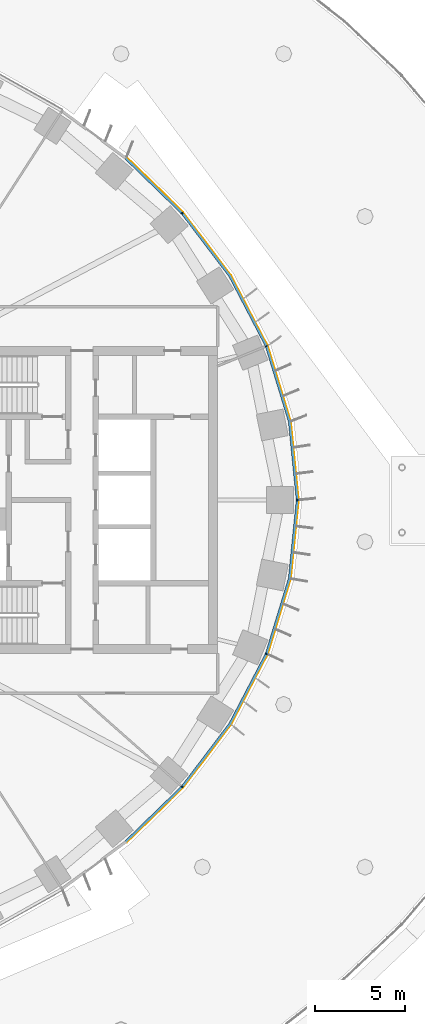
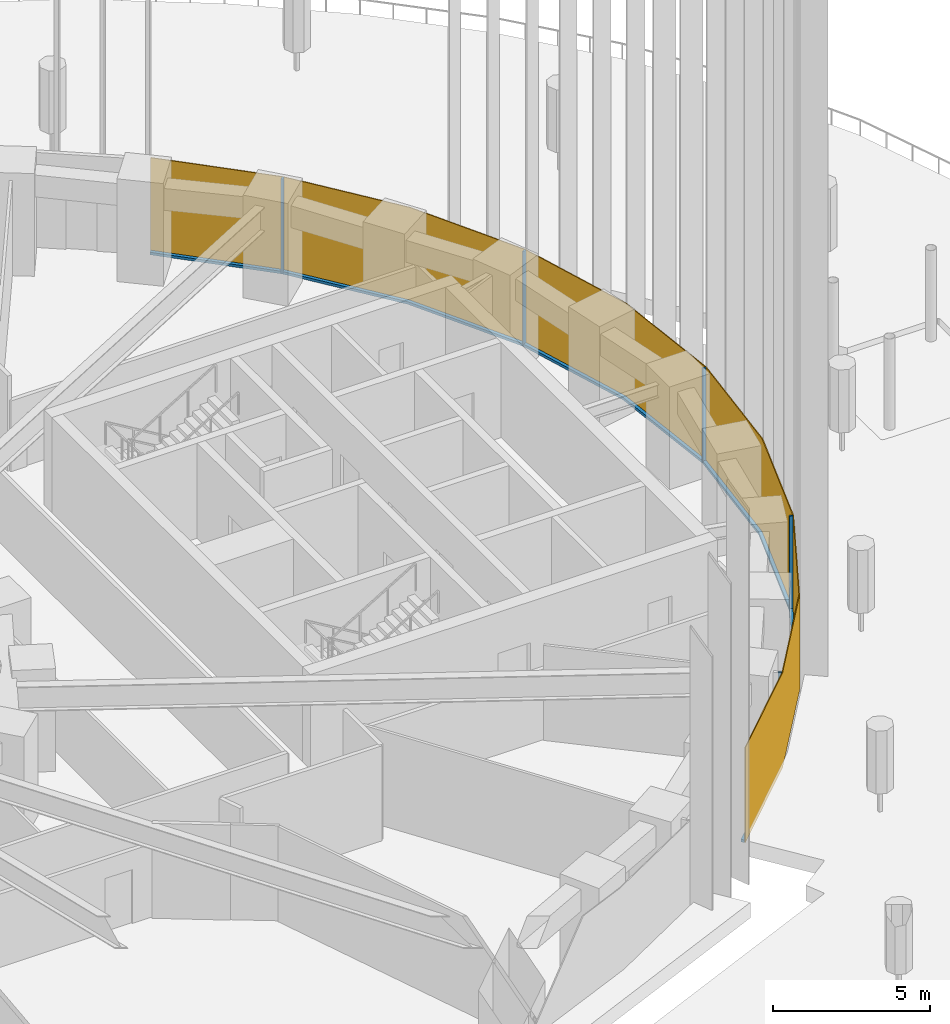
# One storey, part 21 of 30: 11 members, 1 curtain wall.
"""IFC4 building model written with IfcOpenShell, lengths in metres."""

from ifc_helpers import new_model, si_unit, direction, frame, origin, origin_2d, place, context, subcontext, project, spatial, polyline, rectangle, outline, extrude, material, layer, layer_set, material_profile, profile_set, type_object, element, aggregate, save


model = new_model("IFC4")

# Units and contexts
model_context = context("Model", 3, precision=1e-05, world=origin(), true_north=direction((0.0, 1.0)))
body_context = subcontext(model_context, "Body", "Model", "MODEL_VIEW")
ifc_project = project(units=[si_unit("LENGTHUNIT", "METRE"), si_unit("AREAUNIT", "SQUARE_METRE"), si_unit("VOLUMEUNIT", "CUBIC_METRE"), si_unit("PLANEANGLEUNIT", "RADIAN"), si_unit("MASSUNIT", "GRAM", prefix="KILO")], contexts=[model_context])

# Member
ifc_material_1 = material(Name="Aluminium 6063-T6 black anodised", Category="aluminium")
ifc_material_profile = material_profile(ifc_material_1, rectangle(XDim=0.1201171875, YDim=0.06005859375, at=origin_2d()), Name="120x60")
ifc_profile_set = profile_set([ifc_material_profile], Name="Aluminium 6063-T6 black anodised")
member_type_1 = type_object("IfcMemberType", Name="ENV-MULLION-A-120", PredefinedType="MULLION", material=ifc_profile_set)
site_placement = place(None, origin())
building_placement = place(site_placement, origin())
storey_placement = place(building_placement, frame((0.0, 0.0, 30.5)))
member_1_placement = place(storey_placement, frame((29.53857421875, -15.8671875, 0.0), z_axis=(0.0, 0.0, 1.0), x_axis=(-0.749047221705, 0.662516610853, 0.0)))
member_1 = element("IfcMember", 1, at=member_1_placement, type_object=member_type_1, Name="Mullion A radial 43", PredefinedType="MULLION", context=body_context, shape_type="SweptSolid", body=[
    extrude(rectangle(XDim=0.1201171875, YDim=0.06005859375, at=origin_2d()), origin(), (0.0, 0.0, 1.0), 3.699951171875),
])

member_2_placement = place(storey_placement, frame((34.19580078125, -8.513916015625, 0.0), z_axis=(0.0, 0.0, 1.0), x_axis=(-0.92546738067, 0.378827305398, 0.0)))
member_2 = element("IfcMember", 2, at=member_2_placement, type_object=member_type_1, Name="Mullion A radial 45", PredefinedType="MULLION", context=body_context, shape_type="SweptSolid", body=[
    extrude(rectangle(XDim=0.1201171875, YDim=0.06005859375, at=origin_2d()), origin(), (0.0, 0.0, 1.0), 3.699951171875),
])

member_3_placement = place(storey_placement, frame((35.907958984375, 0.0, 0.0), z_axis=(0.0, 0.0, 1.0), x_axis=(-1.0, 0.0, 0.0)))
member_3 = element("IfcMember", 3, at=member_3_placement, type_object=member_type_1, Name="Mullion A radial 01", PredefinedType="MULLION", context=body_context, shape_type="SweptSolid", body=[
    extrude(rectangle(XDim=0.1201171875, YDim=0.06005859375, at=origin_2d()), origin(), (0.0, 0.0, 1.0), 3.699951171875),
])

member_4_placement = place(storey_placement, frame((34.19580078125, 8.513916015625, 0.0), z_axis=(0.0, 0.0, 1.0), x_axis=(-0.92546738067, -0.378827305398, 0.0)))
member_4 = element("IfcMember", 4, at=member_4_placement, type_object=member_type_1, Name="Mullion A radial 03", PredefinedType="MULLION", context=body_context, shape_type="SweptSolid", body=[
    extrude(rectangle(XDim=0.1201171875, YDim=0.06005859375, at=origin_2d()), origin(), (0.0, 0.0, 1.0), 3.699951171875),
])

member_5_placement = place(storey_placement, frame((29.53857421875, 15.8671875, 0.0), z_axis=(0.0, 0.0, 1.0), x_axis=(-0.749047221705, -0.662516610853, 0.0)))
member_5 = element("IfcMember", 5, at=member_5_placement, type_object=member_type_1, Name="Mullion A radial 05", PredefinedType="MULLION", context=body_context, shape_type="SweptSolid", body=[
    extrude(rectangle(XDim=0.1201171875, YDim=0.06005859375, at=origin_2d()), origin(), (0.0, 0.0, 1.0), 3.699951171875),
])

ifc_material_2 = material(Name="Aluminium 6063-T6 black anodised", Category="aluminium")
member_type_2 = type_object("IfcMemberType", Name="ENV-TRANSOM-A", PredefinedType="USERDEFINED", material=ifc_material_2)
member_6_placement = place(storey_placement, origin())
member_6 = element("IfcMember", 6, at=member_6_placement, type_object=member_type_2, Name="Transom A radial 42-43", ObjectType="TRANSOM", PredefinedType="USERDEFINED", context=body_context, shape_type="SweptSolid", body=[
    extrude(outline(polyline([(26.456787109375, -18.94482421875), (29.5634765625, -15.926513671875), (29.473388671875, -15.8466796875), (26.37890625, -18.85302734375), (26.456787109375, -18.94482421875)])), origin(), (0.0, 0.0, 1.0), 0.10009765625),
])

member_7_placement = place(storey_placement, origin())
member_7 = element("IfcMember", 7, at=member_7_placement, type_object=member_type_2, Name="Transom A radial 43-45", ObjectType="TRANSOM", PredefinedType="USERDEFINED", context=body_context, shape_type="SweptSolid", body=[
    extrude(outline(polyline([(29.6005859375, -15.884521484375), (32.22802734375, -12.41748046875), (34.23828125, -8.5615234375), (34.126708984375, -8.515869140625), (32.126220703125, -12.35302734375), (29.51025390625, -15.8046875), (29.6005859375, -15.884521484375)])), origin(), (0.0, 0.0, 1.0), 0.10009765625),
])

member_8_placement = place(storey_placement, origin())
member_8 = element("IfcMember", 8, at=member_8_placement, type_object=member_type_2, Name="Transom A radial 45-01", ObjectType="TRANSOM", PredefinedType="USERDEFINED", context=body_context, shape_type="SweptSolid", body=[
    extrude(outline(polyline([(34.259521484375, -8.509765625), (35.529541015625, -4.352294921875), (35.965087890625, -0.02783203125), (35.844482421875, -0.02783203125), (35.411376953125, -4.32861328125), (34.14794921875, -8.464111328125), (34.259521484375, -8.509765625)])), origin(), (0.0, 0.0, 1.0), 0.10009765625),
])

member_9_placement = place(storey_placement, origin())
member_9 = element("IfcMember", 9, at=member_9_placement, type_object=member_type_2, Name="Transom A radial 01-03", ObjectType="TRANSOM", PredefinedType="USERDEFINED", context=body_context, shape_type="SweptSolid", body=[
    extrude(outline(polyline([(35.965087890625, 0.02783203125), (35.529541015625, 4.352294921875), (34.259521484375, 8.509765625), (34.14794921875, 8.464111328125), (35.411376953125, 4.32861328125), (35.844482421875, 0.02783203125), (35.965087890625, 0.02783203125)])), origin(), (0.0, 0.0, 1.0), 0.10009765625),
])

member_10_placement = place(storey_placement, origin())
member_10 = element("IfcMember", 10, at=member_10_placement, type_object=member_type_2, Name="Transom A radial 03-05", ObjectType="TRANSOM", PredefinedType="USERDEFINED", context=body_context, shape_type="SweptSolid", body=[
    extrude(outline(polyline([(34.23828125, 8.5615234375), (32.22802734375, 12.41748046875), (29.6005859375, 15.884521484375), (29.51025390625, 15.8046875), (32.126220703125, 12.35302734375), (34.126708984375, 8.515869140625), (34.23828125, 8.5615234375)])), origin(), (0.0, 0.0, 1.0), 0.10009765625),
])

member_11_placement = place(storey_placement, origin())
member_11 = element("IfcMember", 11, at=member_11_placement, type_object=member_type_2, Name="Transom A radial 05-06", ObjectType="TRANSOM", PredefinedType="USERDEFINED", context=body_context, shape_type="SweptSolid", body=[
    extrude(outline(polyline([(29.5634765625, 15.926513671875), (26.456787109375, 18.94482421875), (26.37890625, 18.85302734375), (29.473388671875, 15.8466796875), (29.5634765625, 15.926513671875)])), origin(), (0.0, 0.0, 1.0), 0.10009765625),
])

# Site, building, storey
site = spatial("IfcSite", under=ifc_project, at=site_placement, CompositionType="ELEMENT")
building = spatial("IfcBuilding", under=site, at=building_placement, Name="Noorbagh Ring Tower", CompositionType="ELEMENT")
storey = spatial("IfcBuildingStorey", under=building, at=storey_placement, Name="L05", CompositionType="ELEMENT", Elevation=30.5)

# Curtain wall
ifc_material_3 = material(Name="Glass dark tinted laminated", Category="glass")
ifc_layer = layer(ifc_material_3, 0.031982421875)
ifc_layer_set = layer_set([ifc_layer], Name="Glass dark tinted laminated")
curtain_wall_type = type_object("IfcCurtainWallType", Name="ENV-CW-A", PredefinedType="NOTDEFINED", material=ifc_layer_set)
curtain_wall_placement = place(storey_placement, origin())
curtain_wall = element("IfcCurtainWall", 12, at=curtain_wall_placement, inside=storey, type_object=curtain_wall_type, Name="Curtain wall A R42", PredefinedType="NOTDEFINED", context=body_context, shape_type="SweptSolid", body=[
    extrude(outline(polyline([(26.477294921875, -18.96923828125), (29.607666015625, -15.927978515625), (32.255126953125, -12.434814453125), (34.281005859375, -8.548828125), (35.561279296875, -4.358642578125), (36.0, 0.0), (35.561279296875, 4.358642578125), (34.281005859375, 8.548828125), (32.255126953125, 12.434814453125), (29.607666015625, 15.927978515625), (26.477294921875, 18.96923828125), (26.456787109375, 18.94482421875), (29.58349609375, 15.906982421875), (32.22802734375, 12.41748046875), (34.251220703125, 8.53662109375), (35.529541015625, 4.352294921875), (35.9677734375, 0.0), (35.529541015625, -4.352294921875), (34.251220703125, -8.53662109375), (32.22802734375, -12.41748046875), (29.58349609375, -15.906982421875), (26.456787109375, -18.94482421875), (26.477294921875, -18.96923828125)])), origin(), (0.0, 0.0, 1.0), 3.699951171875),
])

aggregate(curtain_wall, [member_1, member_2, member_3, member_4, member_5, member_6, member_7, member_8, member_9, member_10, member_11])

save(model, "model.ifc")
